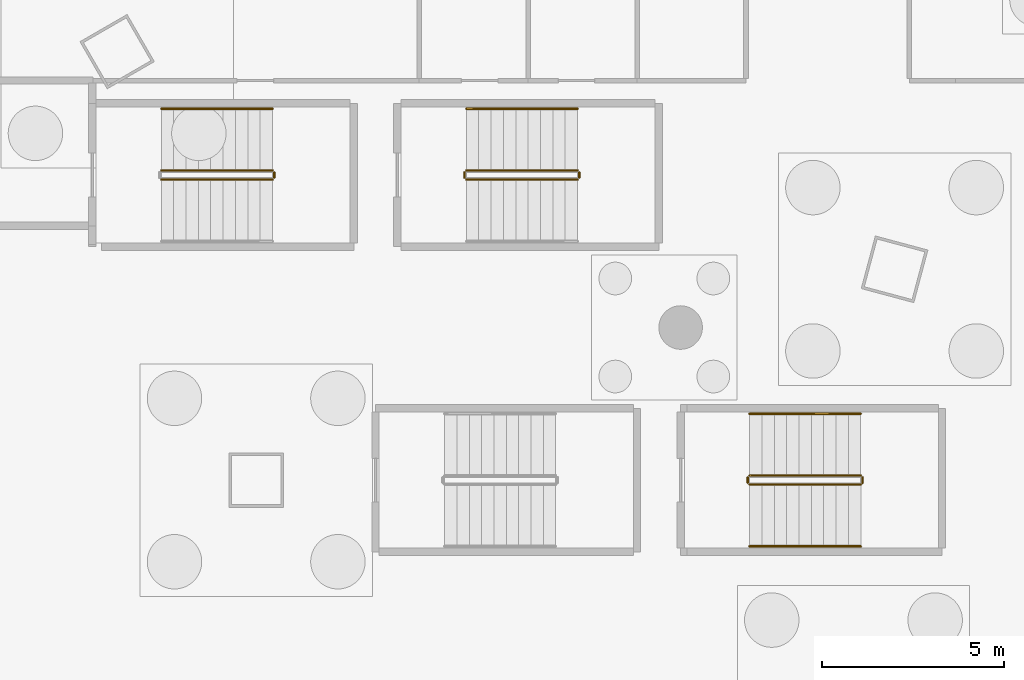
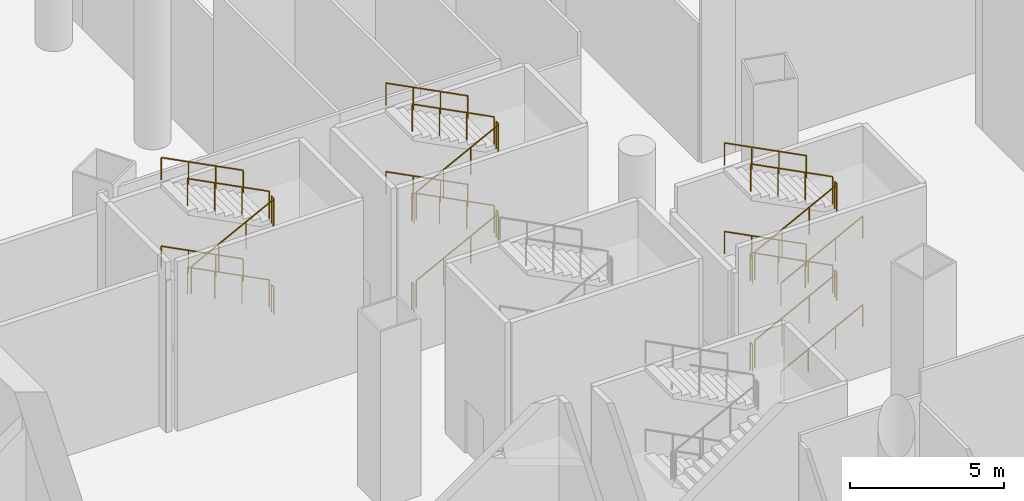
# One storey, part 39 of 41: 29 railings.
"""IFC4 building model written with IfcOpenShell, lengths in metres."""

from ifc_helpers import new_model, si_unit, direction, frame, origin, origin_2d, place, context, subcontext, project, spatial, circle, extrude, material, type_object, element, save


model = new_model("IFC4")

# Units and contexts
model_context = context("Model", 3, precision=1e-05, world=origin(), true_north=direction((0.0, 1.0)))
body_context = subcontext(model_context, "Body", "Model", "MODEL_VIEW")
ifc_project = project(units=[si_unit("LENGTHUNIT", "METRE"), si_unit("AREAUNIT", "SQUARE_METRE"), si_unit("VOLUMEUNIT", "CUBIC_METRE"), si_unit("PLANEANGLEUNIT", "RADIAN"), si_unit("MASSUNIT", "GRAM", prefix="KILO")], contexts=[model_context])

# Site, building, storey
site_placement = place(None, origin())
site = spatial("IfcSite", under=ifc_project, at=site_placement, CompositionType="ELEMENT")
building_placement = place(site_placement, origin())
building = spatial("IfcBuilding", under=site, at=building_placement, Name="Rimbun Link Towers", CompositionType="ELEMENT")
storey_placement = place(building_placement, origin())
storey = spatial("IfcBuildingStorey", under=building, at=storey_placement, Name="L00", CompositionType="ELEMENT", Elevation=0.0)

# Railings
ifc_material_1 = material(Name="Stainless steel grade 316", Category="steel")
railing_type_1 = type_object("IfcRailingType", Name="Stair guard", PredefinedType="GUARDRAIL", material=ifc_material_1)
railing_1_placement = place(storey_placement, frame((-6.989990234375, 8.324951171875, 1.75)))
element("IfcRailing", 1, at=railing_1_placement, inside=storey, type_object=railing_type_1, Name="L00 PS3 stair guard 2", PredefinedType="GUARDRAIL", context=body_context, shape_type="SweptSolid", body=[
    extrude(circle(Radius=0.02392578125, at=origin_2d()), frame((0.0, 0.0, 1.076171875), z_axis=(0.0, 1.0, 0.0), x_axis=(-1.0, 0.0, 0.0)), (0.0, 0.0, 1.0), 0.150146484375),
    extrude(circle(Radius=0.02099609375, at=origin_2d()), origin(), (0.0, 0.0, 1.0), 1.052001953125),
    extrude(circle(Radius=0.02099609375, at=origin_2d()), frame((0.0, 0.150146484375, 0.0)), (0.0, 0.0, 1.0), 1.052001953125),
])
railing_2_placement = place(storey_placement, frame((-7.0400390625, 8.52490234375, 1.925048828125)))
element("IfcRailing", 2, at=railing_2_placement, inside=storey, type_object=railing_type_1, Name="L00 PS3 stair guard 3", PredefinedType="GUARDRAIL", context=body_context, shape_type="SweptSolid", body=[
    extrude(circle(Radius=0.02392578125, at=origin_2d()), frame((0.0, 0.0, 1.076171875), z_axis=(-0.889145149024, 0.0, 0.457625287726), x_axis=(0.0, -1.0, 0.0)), (0.0, 0.0, 1.0), 3.441650390625),
    extrude(circle(Radius=0.02099609375, at=origin_2d()), origin(), (0.0, 0.0, 1.0), 1.052001953125),
    extrude(circle(Radius=0.02099609375, at=origin_2d()), frame((-1.02001953125, 0.0, 0.52490234375)), (0.0, 0.0, 1.0), 1.052001953125),
    extrude(circle(Radius=0.02099609375, at=origin_2d()), frame((-2.0400390625, 0.0, 1.050048828125)), (0.0, 0.0, 1.0), 1.052001953125),
    extrude(circle(Radius=0.02099609375, at=origin_2d()), frame((-3.06005859375, 0.0, 1.574951171875)), (0.0, 0.0, 1.0), 1.052001953125),
])
railing_3_placement = place(storey_placement, frame((-10.10009765625, 8.27490234375, 3.675048828125)))
element("IfcRailing", 3, at=railing_3_placement, inside=storey, type_object=railing_type_1, Name="L00 PS3 stair guard 5", PredefinedType="GUARDRAIL", context=body_context, shape_type="SweptSolid", body=[
    extrude(circle(Radius=0.02392578125, at=origin_2d()), frame((0.0, 0.0, 1.076171875), z_axis=(0.889145149024, 0.0, 0.457625287726), x_axis=(0.0, 1.0, 0.0)), (0.0, 0.0, 1.0), 3.441650390625),
    extrude(circle(Radius=0.02099609375, at=origin_2d()), origin(), (0.0, 0.0, 1.0), 1.052001953125),
    extrude(circle(Radius=0.02099609375, at=origin_2d()), frame((1.02001953125, 0.0, 0.52490234375)), (0.0, 0.0, 1.0), 1.052001953125),
    extrude(circle(Radius=0.02099609375, at=origin_2d()), frame((2.0400390625, 0.0, 1.050048828125)), (0.0, 0.0, 1.0), 1.052001953125),
    extrude(circle(Radius=0.02099609375, at=origin_2d()), frame((3.06005859375, 0.0, 1.574951171875)), (0.0, 0.0, 1.0), 1.052001953125),
])
railing_4_placement = place(storey_placement, frame((-6.989990234375, 8.324951171875, 5.25)))
element("IfcRailing", 4, at=railing_4_placement, inside=storey, type_object=railing_type_1, Name="L00 PS3 stair guard 6", PredefinedType="GUARDRAIL", context=body_context, shape_type="SweptSolid", body=[
    extrude(circle(Radius=0.02392578125, at=origin_2d()), frame((0.0, 0.0, 1.076171875), z_axis=(0.0, 1.0, 0.0), x_axis=(-1.0, 0.0, 0.0)), (0.0, 0.0, 1.0), 0.150146484375),
    extrude(circle(Radius=0.02099609375, at=origin_2d()), origin(), (0.0, 0.0, 1.0), 1.052001953125),
    extrude(circle(Radius=0.02099609375, at=origin_2d()), frame((0.0, 0.150146484375, 0.0)), (0.0, 0.0, 1.0), 1.052001953125),
])
railing_5_placement = place(storey_placement, frame((-7.0400390625, 8.52490234375, 5.425048828125)))
element("IfcRailing", 5, at=railing_5_placement, inside=storey, type_object=railing_type_1, Name="L00 PS3 stair guard 7", PredefinedType="GUARDRAIL", context=body_context, shape_type="SweptSolid", body=[
    extrude(circle(Radius=0.02392578125, at=origin_2d()), frame((0.0, 0.0, 1.076171875), z_axis=(-0.889145149024, 0.0, 0.457625287726), x_axis=(0.0, -1.0, 0.0)), (0.0, 0.0, 1.0), 3.441650390625),
    extrude(circle(Radius=0.02099609375, at=origin_2d()), origin(), (0.0, 0.0, 1.0), 1.052001953125),
    extrude(circle(Radius=0.02099609375, at=origin_2d()), frame((-1.02001953125, 0.0, 0.52490234375)), (0.0, 0.0, 1.0), 1.052001953125),
    extrude(circle(Radius=0.02099609375, at=origin_2d()), frame((-2.0400390625, 0.0, 1.050048828125)), (0.0, 0.0, 1.0), 1.052001953125),
    extrude(circle(Radius=0.02099609375, at=origin_2d()), frame((-3.06005859375, 0.0, 1.574951171875)), (0.0, 0.0, 1.0), 1.052001953125),
])
railing_6_placement = place(storey_placement, frame((-1.699951171875, 8.27490234375, 0.175048828125)))
element("IfcRailing", 6, at=railing_6_placement, inside=storey, type_object=railing_type_1, Name="L00 PS4 stair guard 1", PredefinedType="GUARDRAIL", context=body_context, shape_type="SweptSolid", body=[
    extrude(circle(Radius=0.02392578125, at=origin_2d()), frame((0.0, 0.0, 1.076171875), z_axis=(0.889145149024, 0.0, 0.457625287726), x_axis=(0.0, 1.0, 0.0)), (0.0, 0.0, 1.0), 3.441650390625),
    extrude(circle(Radius=0.02099609375, at=origin_2d()), origin(), (0.0, 0.0, 1.0), 1.052001953125),
    extrude(circle(Radius=0.02099609375, at=origin_2d()), frame((1.02001953125, 0.0, 0.52490234375)), (0.0, 0.0, 1.0), 1.052001953125),
    extrude(circle(Radius=0.02099609375, at=origin_2d()), frame((2.0400390625, 0.0, 1.050048828125)), (0.0, 0.0, 1.0), 1.052001953125),
    extrude(circle(Radius=0.02099609375, at=origin_2d()), frame((3.06005859375, 0.0, 1.574951171875)), (0.0, 0.0, 1.0), 1.052001953125),
])
railing_7_placement = place(storey_placement, frame((1.409912109375, 8.324951171875, 1.75)))
element("IfcRailing", 7, at=railing_7_placement, inside=storey, type_object=railing_type_1, Name="L00 PS4 stair guard 2", PredefinedType="GUARDRAIL", context=body_context, shape_type="SweptSolid", body=[
    extrude(circle(Radius=0.02392578125, at=origin_2d()), frame((0.0, 0.0, 1.076171875), z_axis=(0.0, 1.0, 0.0), x_axis=(-1.0, 0.0, 0.0)), (0.0, 0.0, 1.0), 0.150146484375),
    extrude(circle(Radius=0.02099609375, at=origin_2d()), origin(), (0.0, 0.0, 1.0), 1.052001953125),
    extrude(circle(Radius=0.02099609375, at=origin_2d()), frame((0.0, 0.150146484375, 0.0)), (0.0, 0.0, 1.0), 1.052001953125),
])
railing_8_placement = place(storey_placement, frame((1.360107421875, 8.52490234375, 1.925048828125)))
element("IfcRailing", 8, at=railing_8_placement, inside=storey, type_object=railing_type_1, Name="L00 PS4 stair guard 3", PredefinedType="GUARDRAIL", context=body_context, shape_type="SweptSolid", body=[
    extrude(circle(Radius=0.02392578125, at=origin_2d()), frame((0.0, 0.0, 1.076171875), z_axis=(-0.889145149024, 0.0, 0.457625287726), x_axis=(0.0, -1.0, 0.0)), (0.0, 0.0, 1.0), 3.441650390625),
    extrude(circle(Radius=0.02099609375, at=origin_2d()), origin(), (0.0, 0.0, 1.0), 1.052001953125),
    extrude(circle(Radius=0.02099609375, at=origin_2d()), frame((-1.02001953125, 0.0, 0.52490234375)), (0.0, 0.0, 1.0), 1.052001953125),
    extrude(circle(Radius=0.02099609375, at=origin_2d()), frame((-2.0400390625, 0.0, 1.050048828125)), (0.0, 0.0, 1.0), 1.052001953125),
    extrude(circle(Radius=0.02099609375, at=origin_2d()), frame((-3.06005859375, 0.0, 1.574951171875)), (0.0, 0.0, 1.0), 1.052001953125),
])
railing_9_placement = place(storey_placement, frame((-1.75, 8.324951171875, 3.5)))
element("IfcRailing", 9, at=railing_9_placement, inside=storey, type_object=railing_type_1, Name="L00 PS4 stair guard 4", PredefinedType="GUARDRAIL", context=body_context, shape_type="SweptSolid", body=[
    extrude(circle(Radius=0.02392578125, at=origin_2d()), frame((0.0, 0.0, 1.076171875), z_axis=(0.0, 1.0, 0.0), x_axis=(-1.0, 0.0, 0.0)), (0.0, 0.0, 1.0), 0.150146484375),
    extrude(circle(Radius=0.02099609375, at=origin_2d()), origin(), (0.0, 0.0, 1.0), 1.052001953125),
    extrude(circle(Radius=0.02099609375, at=origin_2d()), frame((0.0, 0.150146484375, 0.0)), (0.0, 0.0, 1.0), 1.052001953125),
])
railing_10_placement = place(storey_placement, frame((-1.699951171875, 8.27490234375, 3.675048828125)))
element("IfcRailing", 10, at=railing_10_placement, inside=storey, type_object=railing_type_1, Name="L00 PS4 stair guard 5", PredefinedType="GUARDRAIL", context=body_context, shape_type="SweptSolid", body=[
    extrude(circle(Radius=0.02392578125, at=origin_2d()), frame((0.0, 0.0, 1.076171875), z_axis=(0.889145149024, 0.0, 0.457625287726), x_axis=(0.0, 1.0, 0.0)), (0.0, 0.0, 1.0), 3.441650390625),
    extrude(circle(Radius=0.02099609375, at=origin_2d()), origin(), (0.0, 0.0, 1.0), 1.052001953125),
    extrude(circle(Radius=0.02099609375, at=origin_2d()), frame((1.02001953125, 0.0, 0.52490234375)), (0.0, 0.0, 1.0), 1.052001953125),
    extrude(circle(Radius=0.02099609375, at=origin_2d()), frame((2.0400390625, 0.0, 1.050048828125)), (0.0, 0.0, 1.0), 1.052001953125),
    extrude(circle(Radius=0.02099609375, at=origin_2d()), frame((3.06005859375, 0.0, 1.574951171875)), (0.0, 0.0, 1.0), 1.052001953125),
])
railing_11_placement = place(storey_placement, frame((1.409912109375, 8.324951171875, 5.25)))
element("IfcRailing", 11, at=railing_11_placement, inside=storey, type_object=railing_type_1, Name="L00 PS4 stair guard 6", PredefinedType="GUARDRAIL", context=body_context, shape_type="SweptSolid", body=[
    extrude(circle(Radius=0.02392578125, at=origin_2d()), frame((0.0, 0.0, 1.076171875), z_axis=(0.0, 1.0, 0.0), x_axis=(-1.0, 0.0, 0.0)), (0.0, 0.0, 1.0), 0.150146484375),
    extrude(circle(Radius=0.02099609375, at=origin_2d()), origin(), (0.0, 0.0, 1.0), 1.052001953125),
    extrude(circle(Radius=0.02099609375, at=origin_2d()), frame((0.0, 0.150146484375, 0.0)), (0.0, 0.0, 1.0), 1.052001953125),
])
railing_12_placement = place(storey_placement, frame((1.360107421875, 8.52490234375, 5.425048828125)))
element("IfcRailing", 12, at=railing_12_placement, inside=storey, type_object=railing_type_1, Name="L00 PS4 stair guard 7", PredefinedType="GUARDRAIL", context=body_context, shape_type="SweptSolid", body=[
    extrude(circle(Radius=0.02392578125, at=origin_2d()), frame((0.0, 0.0, 1.076171875), z_axis=(-0.889145149024, 0.0, 0.457625287726), x_axis=(0.0, -1.0, 0.0)), (0.0, 0.0, 1.0), 3.441650390625),
    extrude(circle(Radius=0.02099609375, at=origin_2d()), origin(), (0.0, 0.0, 1.0), 1.052001953125),
    extrude(circle(Radius=0.02099609375, at=origin_2d()), frame((-1.02001953125, 0.0, 0.52490234375)), (0.0, 0.0, 1.0), 1.052001953125),
    extrude(circle(Radius=0.02099609375, at=origin_2d()), frame((-2.0400390625, 0.0, 1.050048828125)), (0.0, 0.0, 1.0), 1.052001953125),
    extrude(circle(Radius=0.02099609375, at=origin_2d()), frame((-3.06005859375, 0.0, 1.574951171875)), (0.0, 0.0, 1.0), 1.052001953125),
])
railing_13_placement = place(storey_placement, frame((-1.75, 8.324951171875, 0.0)))
element("IfcRailing", 13, at=railing_13_placement, inside=storey, type_object=railing_type_1, Name="L00 PS4 stair guard 8", PredefinedType="GUARDRAIL", context=body_context, shape_type="SweptSolid", body=[
    extrude(circle(Radius=0.02392578125, at=origin_2d()), frame((0.0, 0.0, 1.076171875), z_axis=(0.0, 1.0, 0.0), x_axis=(-1.0, 0.0, 0.0)), (0.0, 0.0, 1.0), 0.150146484375),
    extrude(circle(Radius=0.02099609375, at=origin_2d()), origin(), (0.0, 0.0, 1.0), 1.052001953125),
    extrude(circle(Radius=0.02099609375, at=origin_2d()), frame((0.0, 0.150146484375, 0.0)), (0.0, 0.0, 1.0), 1.052001953125),
])
railing_14_placement = place(storey_placement, frame((6.10009765625, -0.125, 0.175048828125)))
element("IfcRailing", 14, at=railing_14_placement, inside=storey, type_object=railing_type_1, Name="L00 PS5 stair guard 1", PredefinedType="GUARDRAIL", context=body_context, shape_type="SweptSolid", body=[
    extrude(circle(Radius=0.02392578125, at=origin_2d()), frame((0.0, 0.0, 1.076171875), z_axis=(0.889130291581, 0.0, 0.457654153913), x_axis=(0.0, 1.0, 0.0)), (0.0, 0.0, 1.0), 3.44140625),
    extrude(circle(Radius=0.02099609375, at=origin_2d()), origin(), (0.0, 0.0, 1.0), 1.052001953125),
    extrude(circle(Radius=0.02099609375, at=origin_2d()), frame((1.02001953125, 0.0, 0.52490234375)), (0.0, 0.0, 1.0), 1.052001953125),
    extrude(circle(Radius=0.02099609375, at=origin_2d()), frame((2.039794921875, 0.0, 1.050048828125)), (0.0, 0.0, 1.0), 1.052001953125),
    extrude(circle(Radius=0.02099609375, at=origin_2d()), frame((3.059814453125, 0.0, 1.574951171875)), (0.0, 0.0, 1.0), 1.052001953125),
])
railing_15_placement = place(storey_placement, frame((9.2099609375, -0.074951171875, 1.75)))
element("IfcRailing", 15, at=railing_15_placement, inside=storey, type_object=railing_type_1, Name="L00 PS5 stair guard 2", PredefinedType="GUARDRAIL", context=body_context, shape_type="SweptSolid", body=[
    extrude(circle(Radius=0.02392578125, at=origin_2d()), frame((0.0, 0.0, 1.076171875), z_axis=(0.0, 1.0, 0.0), x_axis=(-1.0, 0.0, 0.0)), (0.0, 0.0, 1.0), 0.14990234375),
    extrude(circle(Radius=0.02099609375, at=origin_2d()), origin(), (0.0, 0.0, 1.0), 1.052001953125),
    extrude(circle(Radius=0.02099609375, at=origin_2d()), frame((0.0, 0.14990234375, 0.0)), (0.0, 0.0, 1.0), 1.052001953125),
])
railing_16_placement = place(storey_placement, frame((9.159912109375, 0.125, 1.925048828125)))
element("IfcRailing", 16, at=railing_16_placement, inside=storey, type_object=railing_type_1, Name="L00 PS5 stair guard 3", PredefinedType="GUARDRAIL", context=body_context, shape_type="SweptSolid", body=[
    extrude(circle(Radius=0.02392578125, at=origin_2d()), frame((0.0, 0.0, 1.076171875), z_axis=(-0.889130291581, 0.0, 0.457654153913), x_axis=(0.0, -1.0, 0.0)), (0.0, 0.0, 1.0), 3.44140625),
    extrude(circle(Radius=0.02099609375, at=origin_2d()), origin(), (0.0, 0.0, 1.0), 1.052001953125),
    extrude(circle(Radius=0.02099609375, at=origin_2d()), frame((-1.02001953125, 0.0, 0.52490234375)), (0.0, 0.0, 1.0), 1.052001953125),
    extrude(circle(Radius=0.02099609375, at=origin_2d()), frame((-2.039794921875, 0.0, 1.050048828125)), (0.0, 0.0, 1.0), 1.052001953125),
    extrude(circle(Radius=0.02099609375, at=origin_2d()), frame((-3.059814453125, 0.0, 1.574951171875)), (0.0, 0.0, 1.0), 1.052001953125),
])
railing_17_placement = place(storey_placement, frame((6.050048828125, -0.074951171875, 3.5)))
element("IfcRailing", 17, at=railing_17_placement, inside=storey, type_object=railing_type_1, Name="L00 PS5 stair guard 4", PredefinedType="GUARDRAIL", context=body_context, shape_type="SweptSolid", body=[
    extrude(circle(Radius=0.02392578125, at=origin_2d()), frame((0.0, 0.0, 1.076171875), z_axis=(0.0, 1.0, 0.0), x_axis=(-1.0, 0.0, 0.0)), (0.0, 0.0, 1.0), 0.14990234375),
    extrude(circle(Radius=0.02099609375, at=origin_2d()), origin(), (0.0, 0.0, 1.0), 1.052001953125),
    extrude(circle(Radius=0.02099609375, at=origin_2d()), frame((0.0, 0.14990234375, 0.0)), (0.0, 0.0, 1.0), 1.052001953125),
])
railing_18_placement = place(storey_placement, frame((6.10009765625, -0.125, 3.675048828125)))
element("IfcRailing", 18, at=railing_18_placement, inside=storey, type_object=railing_type_1, Name="L00 PS5 stair guard 5", PredefinedType="GUARDRAIL", context=body_context, shape_type="SweptSolid", body=[
    extrude(circle(Radius=0.02392578125, at=origin_2d()), frame((0.0, 0.0, 1.076171875), z_axis=(0.889130291581, 0.0, 0.457654153913), x_axis=(0.0, 1.0, 0.0)), (0.0, 0.0, 1.0), 3.44140625),
    extrude(circle(Radius=0.02099609375, at=origin_2d()), origin(), (0.0, 0.0, 1.0), 1.052001953125),
    extrude(circle(Radius=0.02099609375, at=origin_2d()), frame((1.02001953125, 0.0, 0.52490234375)), (0.0, 0.0, 1.0), 1.052001953125),
    extrude(circle(Radius=0.02099609375, at=origin_2d()), frame((2.039794921875, 0.0, 1.050048828125)), (0.0, 0.0, 1.0), 1.052001953125),
    extrude(circle(Radius=0.02099609375, at=origin_2d()), frame((3.059814453125, 0.0, 1.574951171875)), (0.0, 0.0, 1.0), 1.052001953125),
])
railing_19_placement = place(storey_placement, frame((9.2099609375, -0.074951171875, 5.25)))
element("IfcRailing", 19, at=railing_19_placement, inside=storey, type_object=railing_type_1, Name="L00 PS5 stair guard 6", PredefinedType="GUARDRAIL", context=body_context, shape_type="SweptSolid", body=[
    extrude(circle(Radius=0.02392578125, at=origin_2d()), frame((0.0, 0.0, 1.076171875), z_axis=(0.0, 1.0, 0.0), x_axis=(-1.0, 0.0, 0.0)), (0.0, 0.0, 1.0), 0.14990234375),
    extrude(circle(Radius=0.02099609375, at=origin_2d()), origin(), (0.0, 0.0, 1.0), 1.052001953125),
    extrude(circle(Radius=0.02099609375, at=origin_2d()), frame((0.0, 0.14990234375, 0.0)), (0.0, 0.0, 1.0), 1.052001953125),
])
railing_20_placement = place(storey_placement, frame((9.159912109375, 0.125, 5.425048828125)))
element("IfcRailing", 20, at=railing_20_placement, inside=storey, type_object=railing_type_1, Name="L00 PS5 stair guard 7", PredefinedType="GUARDRAIL", context=body_context, shape_type="SweptSolid", body=[
    extrude(circle(Radius=0.02392578125, at=origin_2d()), frame((0.0, 0.0, 1.076171875), z_axis=(-0.889130291581, 0.0, 0.457654153913), x_axis=(0.0, -1.0, 0.0)), (0.0, 0.0, 1.0), 3.44140625),
    extrude(circle(Radius=0.02099609375, at=origin_2d()), origin(), (0.0, 0.0, 1.0), 1.052001953125),
    extrude(circle(Radius=0.02099609375, at=origin_2d()), frame((-1.02001953125, 0.0, 0.52490234375)), (0.0, 0.0, 1.0), 1.052001953125),
    extrude(circle(Radius=0.02099609375, at=origin_2d()), frame((-2.039794921875, 0.0, 1.050048828125)), (0.0, 0.0, 1.0), 1.052001953125),
    extrude(circle(Radius=0.02099609375, at=origin_2d()), frame((-3.059814453125, 0.0, 1.574951171875)), (0.0, 0.0, 1.0), 1.052001953125),
])
railing_21_placement = place(storey_placement, frame((6.050048828125, -0.074951171875, 0.0)))
element("IfcRailing", 21, at=railing_21_placement, inside=storey, type_object=railing_type_1, Name="L00 PS5 stair guard 8", PredefinedType="GUARDRAIL", context=body_context, shape_type="SweptSolid", body=[
    extrude(circle(Radius=0.02392578125, at=origin_2d()), frame((0.0, 0.0, 1.076171875), z_axis=(0.0, 1.0, 0.0), x_axis=(-1.0, 0.0, 0.0)), (0.0, 0.0, 1.0), 0.14990234375),
    extrude(circle(Radius=0.02099609375, at=origin_2d()), origin(), (0.0, 0.0, 1.0), 1.052001953125),
    extrude(circle(Radius=0.02099609375, at=origin_2d()), frame((0.0, 0.14990234375, 0.0)), (0.0, 0.0, 1.0), 1.052001953125),
])
ifc_material_2 = material(Name="Stainless steel grade 316", Category="steel")
railing_type_2 = type_object("IfcRailingType", Name="Stair handrail", PredefinedType="HANDRAIL", material=ifc_material_2)
for number, where, name in (
    (22, (-7.0400390625, 10.22509765625, 1.925048828125), "L00 PS3 stair handrail 2"),
    (23, (-7.0400390625, 10.22509765625, 5.425048828125), "L00 PS3 stair handrail 4"),
    (24, (1.360107421875, 10.22509765625, 1.925048828125), "L00 PS4 stair handrail 2"),
    (25, (1.360107421875, 10.22509765625, 5.425048828125), "L00 PS4 stair handrail 4"),
):
    element("IfcRailing", number, at=place(storey_placement, frame(where)), inside=storey, type_object=railing_type_2, Name=name, PredefinedType="HANDRAIL", context=body_context, shape_type="SweptSolid", body=[
        extrude(circle(Radius=0.02392578125, at=origin_2d()), frame((0.0, 0.0, 0.8759765625), z_axis=(-0.889145149024, 0.0, 0.457625287726), x_axis=(0.0, -1.0, 0.0)), (0.0, 0.0, 1.0), 3.441650390625),
        extrude(circle(Radius=0.02099609375, at=origin_2d()), origin(), (0.0, 0.0, 1.0), 0.851806640625),
        extrude(circle(Radius=0.02099609375, at=origin_2d()), frame((-1.02001953125, 0.0, 0.52490234375)), (0.0, 0.0, 1.0), 0.851806640625),
        extrude(circle(Radius=0.02099609375, at=origin_2d()), frame((-2.0400390625, 0.0, 1.050048828125)), (0.0, 0.0, 1.0), 0.851806640625),
        extrude(circle(Radius=0.02099609375, at=origin_2d()), frame((-3.06005859375, 0.0, 1.574951171875)), (0.0, 0.0, 1.0), 0.851806640625),
    ])
railing_22_placement = place(storey_placement, frame((6.10009765625, -1.824951171875, 0.175048828125)))
element("IfcRailing", 26, at=railing_22_placement, inside=storey, type_object=railing_type_2, Name="L00 PS5 stair handrail 1", PredefinedType="HANDRAIL", context=body_context, shape_type="SweptSolid", body=[
    extrude(circle(Radius=0.02392578125, at=origin_2d()), frame((0.0, 0.0, 0.8759765625), z_axis=(0.889130291581, 0.0, 0.457654153913), x_axis=(0.0, 1.0, 0.0)), (0.0, 0.0, 1.0), 3.44140625),
    extrude(circle(Radius=0.02099609375, at=origin_2d()), origin(), (0.0, 0.0, 1.0), 0.851806640625),
    extrude(circle(Radius=0.02099609375, at=origin_2d()), frame((1.02001953125, 0.0, 0.52490234375)), (0.0, 0.0, 1.0), 0.851806640625),
    extrude(circle(Radius=0.02099609375, at=origin_2d()), frame((2.039794921875, 0.0, 1.050048828125)), (0.0, 0.0, 1.0), 0.851806640625),
    extrude(circle(Radius=0.02099609375, at=origin_2d()), frame((3.059814453125, 0.0, 1.574951171875)), (0.0, 0.0, 1.0), 0.851806640625),
])
railing_23_placement = place(storey_placement, frame((9.159912109375, 1.824951171875, 1.925048828125)))
element("IfcRailing", 27, at=railing_23_placement, inside=storey, type_object=railing_type_2, Name="L00 PS5 stair handrail 2", PredefinedType="HANDRAIL", context=body_context, shape_type="SweptSolid", body=[
    extrude(circle(Radius=0.02392578125, at=origin_2d()), frame((0.0, 0.0, 0.8759765625), z_axis=(-0.889130291581, 0.0, 0.457654153913), x_axis=(0.0, -1.0, 0.0)), (0.0, 0.0, 1.0), 3.44140625),
    extrude(circle(Radius=0.02099609375, at=origin_2d()), origin(), (0.0, 0.0, 1.0), 0.851806640625),
    extrude(circle(Radius=0.02099609375, at=origin_2d()), frame((-1.02001953125, 0.0, 0.52490234375)), (0.0, 0.0, 1.0), 0.851806640625),
    extrude(circle(Radius=0.02099609375, at=origin_2d()), frame((-2.039794921875, 0.0, 1.050048828125)), (0.0, 0.0, 1.0), 0.851806640625),
    extrude(circle(Radius=0.02099609375, at=origin_2d()), frame((-3.059814453125, 0.0, 1.574951171875)), (0.0, 0.0, 1.0), 0.851806640625),
])
railing_24_placement = place(storey_placement, frame((6.10009765625, -1.824951171875, 3.675048828125)))
element("IfcRailing", 28, at=railing_24_placement, inside=storey, type_object=railing_type_2, Name="L00 PS5 stair handrail 3", PredefinedType="HANDRAIL", context=body_context, shape_type="SweptSolid", body=[
    extrude(circle(Radius=0.02392578125, at=origin_2d()), frame((0.0, 0.0, 0.8759765625), z_axis=(0.889130291581, 0.0, 0.457654153913), x_axis=(0.0, 1.0, 0.0)), (0.0, 0.0, 1.0), 3.44140625),
    extrude(circle(Radius=0.02099609375, at=origin_2d()), origin(), (0.0, 0.0, 1.0), 0.851806640625),
    extrude(circle(Radius=0.02099609375, at=origin_2d()), frame((1.02001953125, 0.0, 0.52490234375)), (0.0, 0.0, 1.0), 0.851806640625),
    extrude(circle(Radius=0.02099609375, at=origin_2d()), frame((2.039794921875, 0.0, 1.050048828125)), (0.0, 0.0, 1.0), 0.851806640625),
    extrude(circle(Radius=0.02099609375, at=origin_2d()), frame((3.059814453125, 0.0, 1.574951171875)), (0.0, 0.0, 1.0), 0.851806640625),
])
railing_25_placement = place(storey_placement, frame((9.159912109375, 1.824951171875, 5.425048828125)))
element("IfcRailing", 29, at=railing_25_placement, inside=storey, type_object=railing_type_2, Name="L00 PS5 stair handrail 4", PredefinedType="HANDRAIL", context=body_context, shape_type="SweptSolid", body=[
    extrude(circle(Radius=0.02392578125, at=origin_2d()), frame((0.0, 0.0, 0.8759765625), z_axis=(-0.889130291581, 0.0, 0.457654153913), x_axis=(0.0, -1.0, 0.0)), (0.0, 0.0, 1.0), 3.44140625),
    extrude(circle(Radius=0.02099609375, at=origin_2d()), origin(), (0.0, 0.0, 1.0), 0.851806640625),
    extrude(circle(Radius=0.02099609375, at=origin_2d()), frame((-1.02001953125, 0.0, 0.52490234375)), (0.0, 0.0, 1.0), 0.851806640625),
    extrude(circle(Radius=0.02099609375, at=origin_2d()), frame((-2.039794921875, 0.0, 1.050048828125)), (0.0, 0.0, 1.0), 0.851806640625),
    extrude(circle(Radius=0.02099609375, at=origin_2d()), frame((-3.059814453125, 0.0, 1.574951171875)), (0.0, 0.0, 1.0), 0.851806640625),
])

save(model, "model.ifc")
